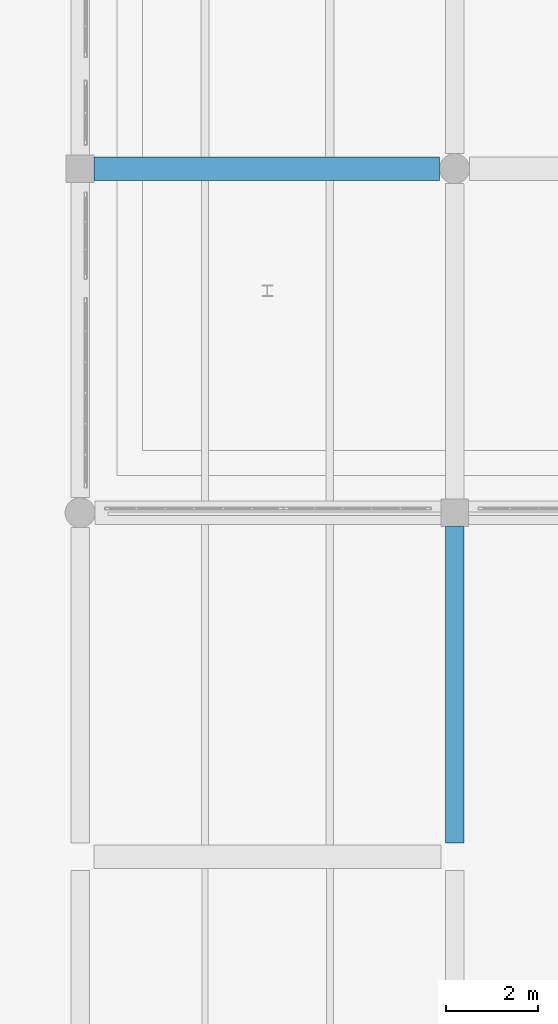
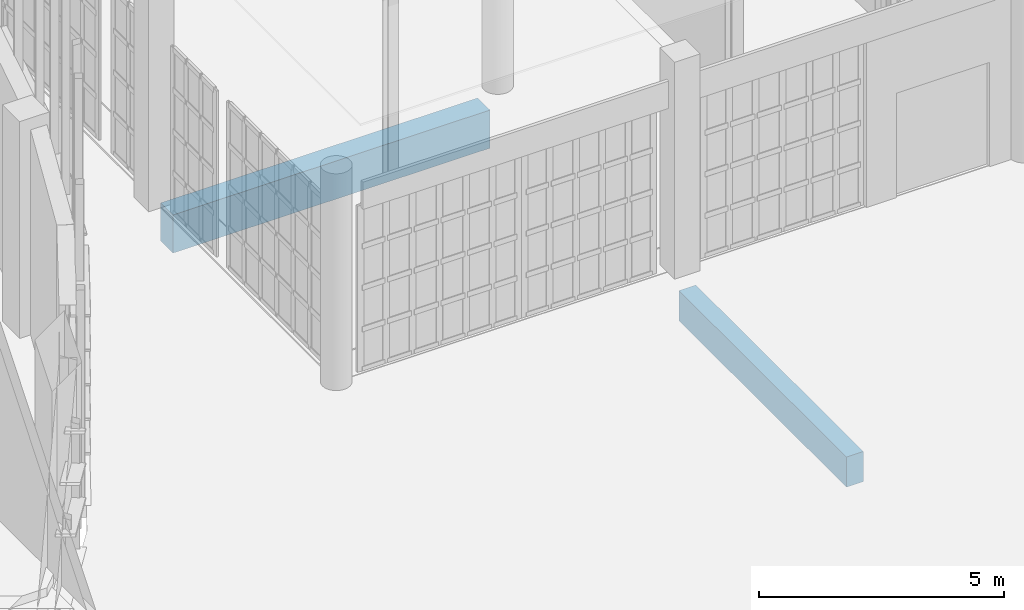
# One storey, part 219 of 372: 2 beams.
"""IFC4 building model written with IfcOpenShell, lengths in metres."""

from ifc_helpers import new_model, si_unit, direction, frame, origin, origin_2d, place, context, subcontext, project, spatial, rectangle, extrude, material, material_profile, profile_set, type_object, element, save


model = new_model("IFC4")

# Units and contexts
model_context = context("Model", 3, precision=1e-05, world=origin(), true_north=direction((0.0, 1.0)))
body_context = subcontext(model_context, "Body", "Model", "MODEL_VIEW")
ifc_project = project(units=[si_unit("LENGTHUNIT", "METRE"), si_unit("AREAUNIT", "SQUARE_METRE"), si_unit("VOLUMEUNIT", "CUBIC_METRE"), si_unit("PLANEANGLEUNIT", "RADIAN"), si_unit("MASSUNIT", "GRAM", prefix="KILO")], contexts=[model_context])

# Site, building, storey
site_placement = place(None, origin())
site = spatial("IfcSite", under=ifc_project, at=site_placement, CompositionType="ELEMENT")
building_placement = place(site_placement, origin())
building = spatial("IfcBuilding", under=site, at=building_placement, Name="Kaelora Sail Theatre", CompositionType="ELEMENT")
storey_placement = place(building_placement, origin())
storey = spatial("IfcBuildingStorey", under=building, at=storey_placement, Name="L00", CompositionType="ELEMENT", Elevation=0.0)

# Beams
ifc_material_1 = material(Name="Concrete C40/50", Category="concrete")
ifc_material_profile_1 = material_profile(ifc_material_1, rectangle(XDim=0.39990234375, YDim=0.75, at=origin_2d()), Name="RC-BM 400x750")
ifc_profile_set_1 = profile_set([ifc_material_profile_1], Name="Concrete C40/50")
beam_type_1 = type_object("IfcBeamType", Name="STR-BM-BM-RC4075", PredefinedType="BEAM", material=ifc_profile_set_1)
beam_1_placement = place(storey_placement, frame((114.89990234375, 31.56005859375, -0.695068359375), z_axis=(0.0, 1.0, 0.0), x_axis=(-1.0, 0.0, 0.0)))
element("IfcBeam", 1, at=beam_1_placement, inside=storey, type_object=beam_type_1, Name="Primary beam 15 E-F (L00)", PredefinedType="BEAM", context=body_context, shape_type="SweptSolid", body=[
    extrude(rectangle(XDim=0.39990234375, YDim=0.75, at=origin_2d()), origin(), (0.0, 0.0, 1.0), 6.83984375),
])
ifc_material_2 = material(Name="Concrete C45/55", Category="concrete")
ifc_material_profile_2 = material_profile(ifc_material_2, rectangle(XDim=0.5, YDim=0.949951171875, at=origin_2d()), Name="RC-GRD 500x950")
ifc_profile_set_2 = profile_set([ifc_material_profile_2], Name="Concrete C45/55")
beam_type_2 = type_object("IfcBeamType", Name="STR-BM-GR-RC5095", PredefinedType="T_BEAM", material=ifc_profile_set_2)
beam_2_placement = place(storey_placement, frame((107.10009765625, 46.139892578125, -0.794921875), z_axis=(1.0, 0.0, 0.0), x_axis=(0.0, 1.0, 0.0)))
element("IfcBeam", 2, at=beam_2_placement, inside=storey, type_object=beam_type_2, Name="Primary beam G 14-15 (L00)", PredefinedType="T_BEAM", context=body_context, shape_type="SweptSolid", body=[
    extrude(rectangle(XDim=0.5, YDim=0.949951171875, at=origin_2d()), origin(), (0.0, 0.0, 1.0), 7.474853515625),
])

save(model, "model.ifc")
